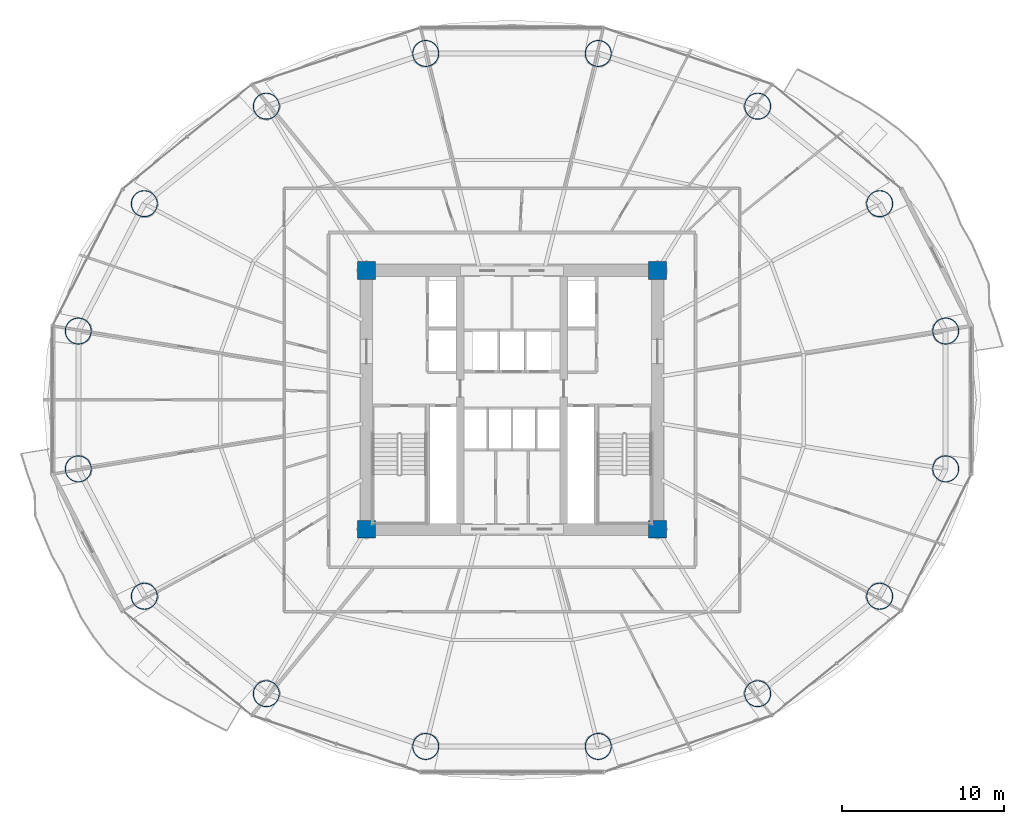
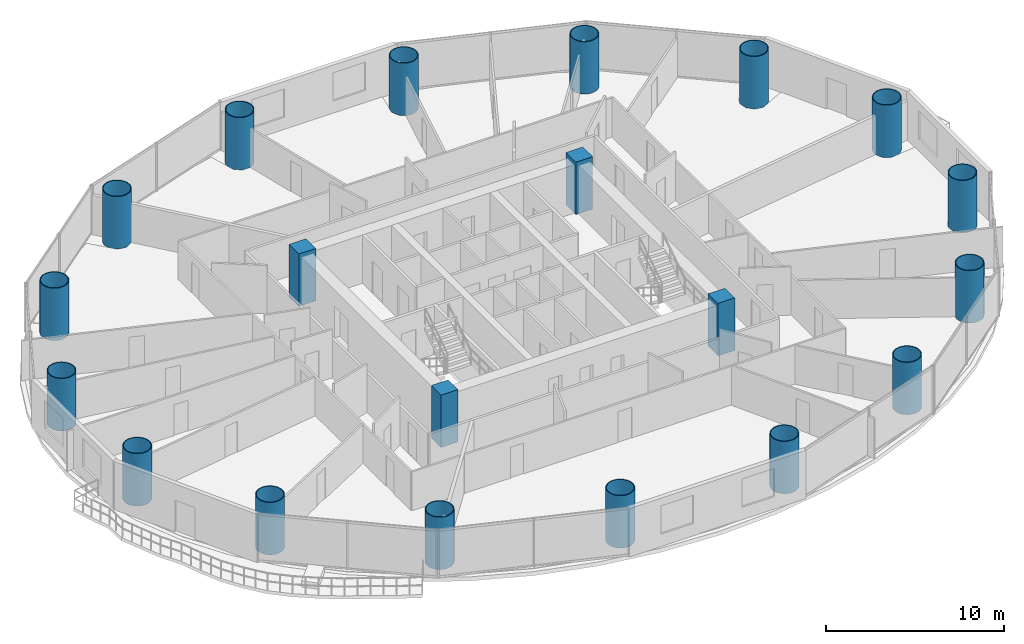
# One storey, part 1 of 28: 20 columns.
"""IFC4 building model written with IfcOpenShell, lengths in metres."""

from ifc_helpers import new_model, si_unit, direction, frame, origin, origin_2d, place, context, subcontext, project, spatial, rectangle, hollow_circle, extrude, material, material_profile, profile_set, type_object, element, save


model = new_model("IFC4")

# Units and contexts
model_context = context("Model", 3, precision=1e-05, world=origin(), true_north=direction((-0.2419218956, 0.970295726276)))
body_context = subcontext(model_context, "Body", "Model", "MODEL_VIEW")
ifc_project = project(units=[si_unit("LENGTHUNIT", "METRE"), si_unit("AREAUNIT", "SQUARE_METRE"), si_unit("VOLUMEUNIT", "CUBIC_METRE"), si_unit("PLANEANGLEUNIT", "RADIAN"), si_unit("MASSUNIT", "GRAM", prefix="KILO")], contexts=[model_context])

# Site, building, storey
site_placement = place(None, origin())
site = spatial("IfcSite", under=ifc_project, at=site_placement, CompositionType="ELEMENT")
building_placement = place(site_placement, origin())
building = spatial("IfcBuilding", under=site, at=building_placement, Name="Cobrevalo Terracotta Tower", CompositionType="ELEMENT")
storey_placement = place(building_placement, frame((0.0, 0.0, 34.800048828125)))
storey = spatial("IfcBuildingStorey", under=building, at=storey_placement, Name="L08", CompositionType="ELEMENT", Elevation=34.800048828125)

# Columns
ifc_material_1 = material(Name="Steel S355", Category="steel")
ifc_material_profile_1 = material_profile(ifc_material_1, hollow_circle(Radius=0.824951171875, WallThickness=0.050048828125, at=origin_2d()), Name="CHS 1650x50")
ifc_profile_set_1 = profile_set([ifc_material_profile_1], Name="Steel S355")
column_type_1 = type_object("IfcColumnType", Name="Structural Column CHS 1650x50 (Steel S355)", PredefinedType="COLUMN", material=ifc_profile_set_1)
for number, where, z_axis, x_axis, name in (
    (1, (64.824462890625, 31.062744140625, 0.0), (0.0, 0.0, 1.0), (1.0, 0.0, 0.0), "L08 composite megacolumn MC01"),
    (2, (60.74072265625, 38.939208984375, 0.0), (0.0, 0.0, 1.0), (1.0, 0.0, 0.0), "L08 composite megacolumn MC02"),
    (3, (53.19482421875, 44.967529296875, 0.0), (0.0, 0.0, 1.0), (1.0, 0.0, 0.0), "L08 composite megacolumn MC03"),
    (4, (43.335693359375, 48.230224609375, 0.0), (0.0, 0.0, 1.0), (1.0, 0.0, 0.0), "L08 composite megacolumn MC04"),
    (5, (32.664306640625, 48.230224609375, 0.0), (0.0, 0.0, 1.0), (1.0, 0.0, 0.0), "L08 composite megacolumn MC05"),
    (6, (22.80517578125, 44.967529296875, 0.0), (0.0, 0.0, 1.0), (1.0, 0.0, 0.0), "L08 composite megacolumn MC06"),
    (7, (15.25927734375, 38.939208984375, 0.0), (0.0, 0.0, 1.0), (1.0, 0.0, 0.0), "L08 composite megacolumn MC07"),
    (8, (11.175537109375, 31.062744140625, 0.0), (0.0, 0.0, 1.0), (1.0, 0.0, 0.0), "L08 composite megacolumn MC08"),
    (9, (11.175537109375, 22.537353515625, 0.0), (0.0, 0.0, 1.0), (1.0, 0.0, 0.0), "L08 composite megacolumn MC09"),
    (10, (15.25927734375, 14.660888671875, 0.0), (0.0, 0.0, 1.0), (1.0, 0.0, 0.0), "L08 composite megacolumn MC10"),
    (11, (22.80517578125, 8.63232421875, 0.0), (0.0, 0.0, 1.0), (1.0, 0.0, 0.0), "L08 composite megacolumn MC11"),
    (12, (32.664306640625, 5.369873046875, 0.0), (0.0, 0.0, 1.0), (1.0, 0.0, 0.0), "L08 composite megacolumn MC12"),
    (13, (43.335693359375, 5.369873046875, 0.0), (0.0, 0.0, 1.0), (1.0, 0.0, 0.0), "L08 composite megacolumn MC13"),
    (14, (53.19482421875, 8.63232421875, 0.0), (0.0, 0.0, 1.0), (1.0, 0.0, 0.0), "L08 composite megacolumn MC14"),
    (15, (60.74072265625, 14.660888671875, 0.0), (0.0, 0.0, 1.0), (1.0, 0.0, 0.0), "L08 composite megacolumn MC15"),
    (16, (64.824462890625, 22.537353515625, 0.0), (0.0, 0.0, 1.0), (1.0, 0.0, 0.0), "L08 composite megacolumn MC16"),
):
    element("IfcColumn", number, at=place(storey_placement, frame(where, z_axis=z_axis, x_axis=x_axis)), inside=storey, type_object=column_type_1, Name=name, PredefinedType="COLUMN", context=body_context, shape_type="SweptSolid", body=[
        extrude(hollow_circle(Radius=0.824951171875, WallThickness=0.050048828125, at=origin_2d()), origin(), (0.0, 0.0, 1.0), 3.599853515625),
    ])
ifc_material_2 = material(Name="Concrete C60", Category="concrete")
ifc_material_profile_2 = material_profile(ifc_material_2, rectangle(XDim=1.10009765625, YDim=1.10009765625, at=origin_2d()), Name="RC COL 1100x1100")
ifc_profile_set_2 = profile_set([ifc_material_profile_2], Name="Concrete C60")
column_type_2 = type_object("IfcColumnType", Name="Structural Column RC COL 1100x1100 (Concrete C60)", PredefinedType="COLUMN", material=ifc_profile_set_2)
for number, where, z_axis, x_axis, name in (
    (17, (29.0, 18.800048828125, 0.0), (0.0, 0.0, 1.0), (1.0, 0.0, 0.0), "L08 core corner column CC1"),
    (18, (47.0, 18.800048828125, 0.0), (0.0, 0.0, 1.0), (1.0, 0.0, 0.0), "L08 core corner column CC2"),
    (19, (47.0, 34.800048828125, 0.0), (0.0, 0.0, 1.0), (1.0, 0.0, 0.0), "L08 core corner column CC3"),
    (20, (29.0, 34.800048828125, 0.0), (0.0, 0.0, 1.0), (1.0, 0.0, 0.0), "L08 core corner column CC4"),
):
    element("IfcColumn", number, at=place(storey_placement, frame(where, z_axis=z_axis, x_axis=x_axis)), inside=storey, type_object=column_type_2, Name=name, PredefinedType="COLUMN", context=body_context, shape_type="SweptSolid", body=[
        extrude(rectangle(XDim=1.10009765625, YDim=1.10009765625, at=origin_2d()), origin(), (0.0, 0.0, 1.0), 3.599853515625),
    ])

save(model, "model.ifc")
